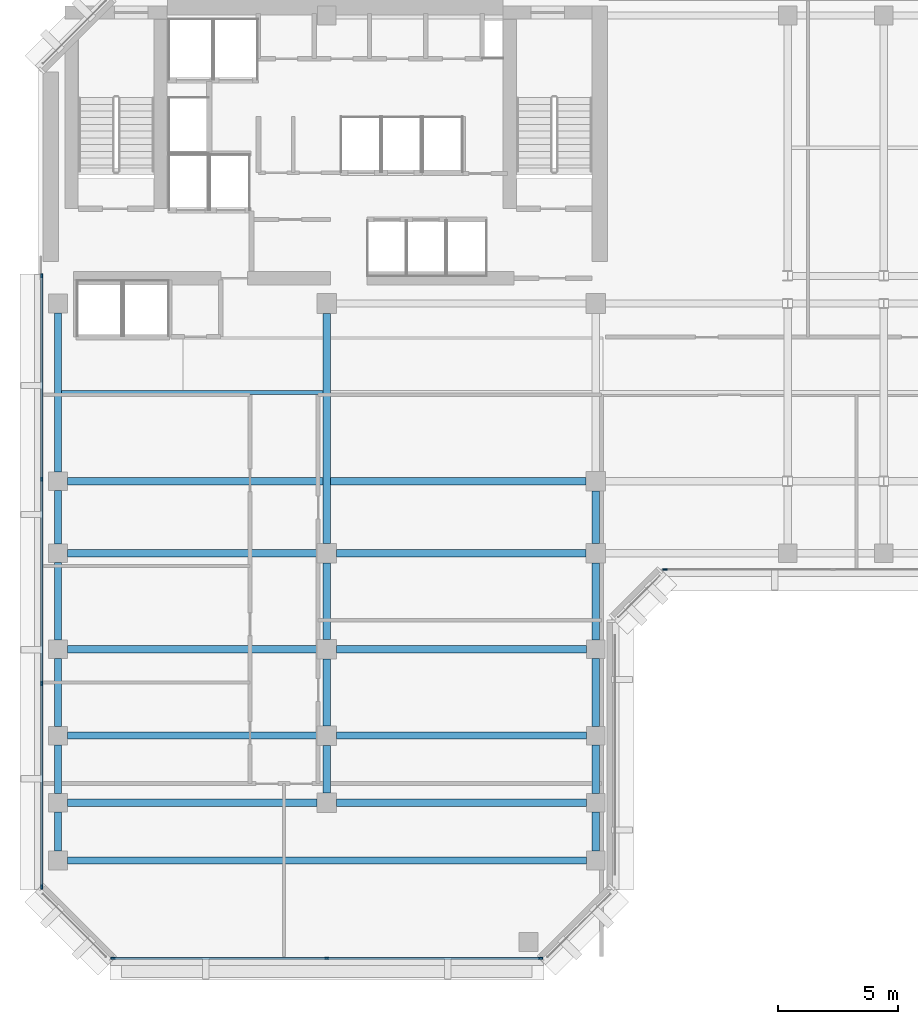
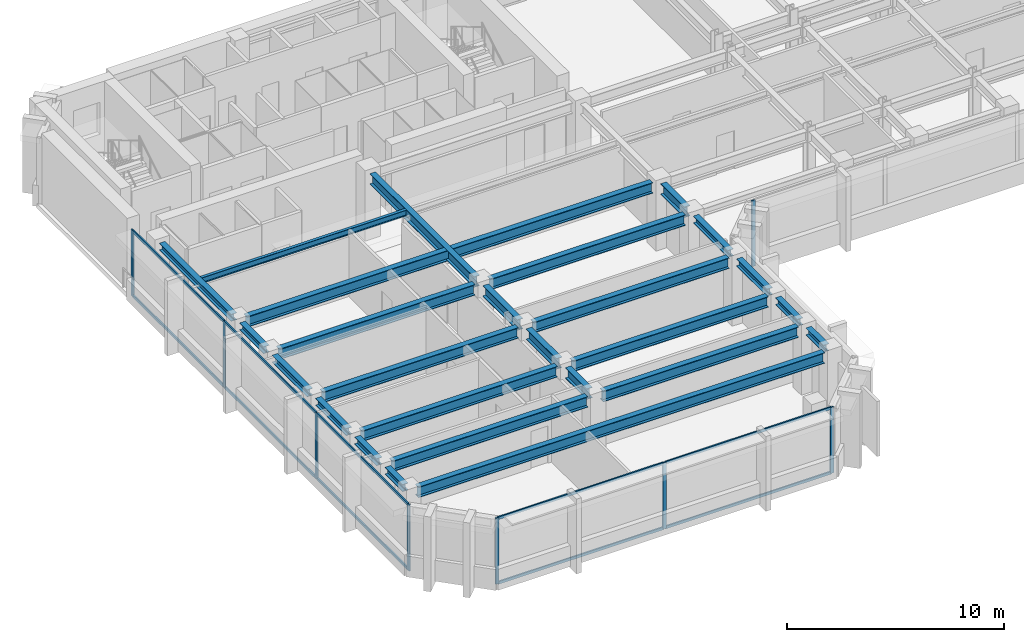
# One storey, part 2 of 12: 26 beams, 18 members, 3 elements without a shape of their own.
"""IFC4 building model written with IfcOpenShell, lengths in metres."""

from ifc_helpers import new_model, si_unit, direction, frame, origin, origin_2d, place, context, subcontext, project, spatial, rectangle, i_section, extrude, material, layer, layer_set, material_profile, profile_set, type_object, element, aggregate, save


model = new_model("IFC4")

# Units and contexts
model_context = context("Model", 3, precision=1e-05, world=origin(), true_north=direction((0.0, 1.0)))
body_context = subcontext(model_context, "Body", "Model", "MODEL_VIEW")
ifc_project = project(units=[si_unit("LENGTHUNIT", "METRE"), si_unit("AREAUNIT", "SQUARE_METRE"), si_unit("VOLUMEUNIT", "CUBIC_METRE"), si_unit("PLANEANGLEUNIT", "RADIAN"), si_unit("MASSUNIT", "GRAM", prefix="KILO")], contexts=[model_context])

# Site, building, storey
site_placement = place(None, origin())
site = spatial("IfcSite", under=ifc_project, at=site_placement, CompositionType="ELEMENT")
building_placement = place(site_placement, origin())
building = spatial("IfcBuilding", under=site, at=building_placement, Name="Kefirva Bronze Tower", CompositionType="ELEMENT")
storey_placement = place(building_placement, frame((0.0, 0.0, 203.280029296875)))
storey = spatial("IfcBuildingStorey", under=building, at=storey_placement, Name="L49", CompositionType="ELEMENT", Elevation=203.280029296875)

# Curtain wall, members
ifc_material_1 = material(Name="Bronze anodised aluminium", Category="aluminium")
ifc_layer = layer(ifc_material_1, 0.179931640625, Name="Bronze anodised aluminium")
ifc_layer_set = layer_set([ifc_layer], Name="Bronze anodised aluminium")
curtain_wall_type = type_object("IfcCurtainWallType", Name="Unitised Bronze Ribbon Curtain Wall Zone 3", PredefinedType="USERDEFINED", material=ifc_layer_set)
curtain_wall_1_placement = place(storey_placement, origin())
curtain_wall_1 = element("IfcCurtainWall", 1, at=curtain_wall_1_placement, inside=storey, type_object=curtain_wall_type, Name="L49 Curtain Wall 1", ObjectType="UNITISED CURTAIN WALL", PredefinedType="USERDEFINED")
ifc_material_profile_1 = material_profile(ifc_material_1, rectangle(XDim=0.074951171875, YDim=0.179931640625, at=origin_2d()), Name="ALU 75x180")
ifc_profile_set_1 = profile_set([ifc_material_profile_1], Name="Bronze anodised aluminium")
member_type_1 = type_object("IfcMemberType", Name="Bronze Mullion 75x180", PredefinedType="MULLION", material=ifc_profile_set_1)
member_1_placement = place(storey_placement, frame((3.092529296875, 5.919921875, 0.0), z_axis=(0.0, 0.0, 1.0), x_axis=(0.0, 1.0, 0.0)))
member_1 = element("IfcMember", 2, at=member_1_placement, type_object=member_type_1, Name="CW-03 mullion 1", PredefinedType="MULLION", context=body_context, shape_type="SweptSolid", body=[
    extrude(rectangle(XDim=0.074951171875, YDim=0.179931640625, at=origin_2d()), origin(), (0.0, 0.0, 1.0), 3.7099609375),
])
member_2_placement = place(storey_placement, frame((12.0, 5.919921875, 0.0), z_axis=(0.0, 0.0, 1.0), x_axis=(0.0, 1.0, 0.0)))
member_2 = element("IfcMember", 3, at=member_2_placement, type_object=member_type_1, Name="CW-03 mullion 2", PredefinedType="MULLION", context=body_context, shape_type="SweptSolid", body=[
    extrude(rectangle(XDim=0.074951171875, YDim=0.179931640625, at=origin_2d()), origin(), (0.0, 0.0, 1.0), 3.7099609375),
])
member_3_placement = place(storey_placement, frame((20.907470703125, 5.919921875, 0.0), z_axis=(0.0, 0.0, 1.0), x_axis=(0.0, 1.0, 0.0)))
member_3 = element("IfcMember", 4, at=member_3_placement, type_object=member_type_1, Name="CW-03 mullion 3", PredefinedType="MULLION", context=body_context, shape_type="SweptSolid", body=[
    extrude(rectangle(XDim=0.074951171875, YDim=0.179931640625, at=origin_2d()), origin(), (0.0, 0.0, 1.0), 3.7099609375),
])

# Curtain wall, member
curtain_wall_2_placement = place(storey_placement, origin())
curtain_wall_2 = element("IfcCurtainWall", 5, at=curtain_wall_2_placement, inside=storey, type_object=curtain_wall_type, Name="L49 Curtain Wall 2", ObjectType="UNITISED CURTAIN WALL", PredefinedType="USERDEFINED")
member_4_placement = place(storey_placement, frame((26.092529296875, 22.1201171875, 0.0), z_axis=(0.0, 0.0, 1.0), x_axis=(0.0, 1.0, 0.0)))
member_4 = element("IfcMember", 6, at=member_4_placement, type_object=member_type_1, Name="CW-03 mullion 1", PredefinedType="MULLION", context=body_context, shape_type="SweptSolid", body=[
    extrude(rectangle(XDim=0.074951171875, YDim=0.179931640625, at=origin_2d()), origin(), (0.0, 0.0, 1.0), 3.7099609375),
])
aggregate(curtain_wall_2, [member_4])

# Curtain wall, members
curtain_wall_3_placement = place(storey_placement, origin())
curtain_wall_3 = element("IfcCurtainWall", 7, at=curtain_wall_3_placement, inside=storey, type_object=curtain_wall_type, Name="L49 Curtain Wall 5", ObjectType="UNITISED CURTAIN WALL", PredefinedType="USERDEFINED")
member_5_placement = place(storey_placement, frame((0.1201171875, 34.357421875, 0.0), z_axis=(0.0, 0.0, 1.0), x_axis=(1.0, 0.0, 0.0)))
member_5 = element("IfcMember", 8, at=member_5_placement, type_object=member_type_1, Name="CW-03 mullion 1", PredefinedType="MULLION", context=body_context, shape_type="SweptSolid", body=[
    extrude(rectangle(XDim=0.074951171875, YDim=0.179931640625, at=origin_2d()), origin(), (0.0, 0.0, 1.0), 3.7099609375),
])
member_6_placement = place(storey_placement, frame((0.1201171875, 25.881591796875, 0.0), z_axis=(0.0, 0.0, 1.0), x_axis=(1.0, 0.0, 0.0)))
member_6 = element("IfcMember", 9, at=member_6_placement, type_object=member_type_1, Name="CW-03 mullion 2", PredefinedType="MULLION", context=body_context, shape_type="SweptSolid", body=[
    extrude(rectangle(XDim=0.074951171875, YDim=0.179931640625, at=origin_2d()), origin(), (0.0, 0.0, 1.0), 3.7099609375),
])
member_7_placement = place(storey_placement, frame((0.1201171875, 17.368408203125, 0.0), z_axis=(0.0, 0.0, 1.0), x_axis=(1.0, 0.0, 0.0)))
member_7 = element("IfcMember", 10, at=member_7_placement, type_object=member_type_1, Name="CW-03 mullion 3", PredefinedType="MULLION", context=body_context, shape_type="SweptSolid", body=[
    extrude(rectangle(XDim=0.074951171875, YDim=0.179931640625, at=origin_2d()), origin(), (0.0, 0.0, 1.0), 3.7099609375),
])
member_8_placement = place(storey_placement, frame((0.1201171875, 8.892578125, 0.0), z_axis=(0.0, 0.0, 1.0), x_axis=(1.0, 0.0, 0.0)))
member_8 = element("IfcMember", 11, at=member_8_placement, type_object=member_type_1, Name="CW-03 mullion 4", PredefinedType="MULLION", context=body_context, shape_type="SweptSolid", body=[
    extrude(rectangle(XDim=0.074951171875, YDim=0.179931640625, at=origin_2d()), origin(), (0.0, 0.0, 1.0), 3.7099609375),
])

# Member
ifc_material_profile_2 = material_profile(ifc_material_1, rectangle(XDim=0.074951171875, YDim=0.14990234375, at=origin_2d()), Name="ALU 75x150")
ifc_profile_set_2 = profile_set([ifc_material_profile_2], Name="Bronze anodised aluminium")
member_type_2 = type_object("IfcMemberType", Name="Bronze Transom 75x150", PredefinedType="USERDEFINED", material=ifc_profile_set_2)
member_9_placement = place(storey_placement, frame((3.1298828125, 5.919921875, 0.037353515625), z_axis=(1.0, 0.0, 0.0), x_axis=(0.0, 1.0, 0.0)))
member_9 = element("IfcMember", 12, at=member_9_placement, type_object=member_type_2, Name="CW-03 transom 1.1", ObjectType="TRANSOM", PredefinedType="USERDEFINED", context=body_context, shape_type="SweptSolid", body=[
    extrude(rectangle(XDim=0.074951171875, YDim=0.14990234375, at=origin_2d()), origin(), (0.0, 0.0, 1.0), 8.83251953125),
])

member_10_placement = place(storey_placement, frame((3.1298828125, 5.919921875, 3.67236328125), z_axis=(1.0, 0.0, 0.0), x_axis=(0.0, 1.0, 0.0)))
member_10 = element("IfcMember", 13, at=member_10_placement, type_object=member_type_2, Name="CW-03 transom 1.2", ObjectType="TRANSOM", PredefinedType="USERDEFINED", context=body_context, shape_type="SweptSolid", body=[
    extrude(rectangle(XDim=0.074951171875, YDim=0.14990234375, at=origin_2d()), origin(), (0.0, 0.0, 1.0), 8.83251953125),
])

member_11_placement = place(storey_placement, frame((12.03759765625, 5.919921875, 0.037353515625), z_axis=(1.0, 0.0, 0.0), x_axis=(0.0, 1.0, 0.0)))
member_11 = element("IfcMember", 14, at=member_11_placement, type_object=member_type_2, Name="CW-03 transom 2.1", ObjectType="TRANSOM", PredefinedType="USERDEFINED", context=body_context, shape_type="SweptSolid", body=[
    extrude(rectangle(XDim=0.074951171875, YDim=0.14990234375, at=origin_2d()), origin(), (0.0, 0.0, 1.0), 8.83251953125),
])

member_12_placement = place(storey_placement, frame((12.03759765625, 5.919921875, 3.67236328125), z_axis=(1.0, 0.0, 0.0), x_axis=(0.0, 1.0, 0.0)))
member_12 = element("IfcMember", 15, at=member_12_placement, type_object=member_type_2, Name="CW-03 transom 2.2", ObjectType="TRANSOM", PredefinedType="USERDEFINED", context=body_context, shape_type="SweptSolid", body=[
    extrude(rectangle(XDim=0.074951171875, YDim=0.14990234375, at=origin_2d()), origin(), (0.0, 0.0, 1.0), 8.83251953125),
])

aggregate(curtain_wall_1, [member_1, member_2, member_3, member_9, member_10, member_11, member_12])

member_13_placement = place(storey_placement, frame((0.1201171875, 34.320068359375, 0.037353515625), z_axis=(0.0, -1.0, 0.0), x_axis=(1.0, 0.0, 0.0)))
member_13 = element("IfcMember", 16, at=member_13_placement, type_object=member_type_2, Name="CW-03 transom 1.1", ObjectType="TRANSOM", PredefinedType="USERDEFINED", context=body_context, shape_type="SweptSolid", body=[
    extrude(rectangle(XDim=0.074951171875, YDim=0.14990234375, at=origin_2d()), origin(), (0.0, 0.0, 1.0), 8.40087890625),
])

member_14_placement = place(storey_placement, frame((0.1201171875, 34.320068359375, 3.67236328125), z_axis=(0.0, -1.0, 0.0), x_axis=(1.0, 0.0, 0.0)))
member_14 = element("IfcMember", 17, at=member_14_placement, type_object=member_type_2, Name="CW-03 transom 1.2", ObjectType="TRANSOM", PredefinedType="USERDEFINED", context=body_context, shape_type="SweptSolid", body=[
    extrude(rectangle(XDim=0.074951171875, YDim=0.14990234375, at=origin_2d()), origin(), (0.0, 0.0, 1.0), 8.40087890625),
])

member_15_placement = place(storey_placement, frame((0.1201171875, 25.84423828125, 0.037353515625), z_axis=(0.0, -1.0, 0.0), x_axis=(1.0, 0.0, 0.0)))
member_15 = element("IfcMember", 18, at=member_15_placement, type_object=member_type_2, Name="CW-03 transom 2.1", ObjectType="TRANSOM", PredefinedType="USERDEFINED", context=body_context, shape_type="SweptSolid", body=[
    extrude(rectangle(XDim=0.074951171875, YDim=0.14990234375, at=origin_2d()), origin(), (0.0, 0.0, 1.0), 8.4384765625),
])

member_16_placement = place(storey_placement, frame((0.1201171875, 25.84423828125, 3.67236328125), z_axis=(0.0, -1.0, 0.0), x_axis=(1.0, 0.0, 0.0)))
member_16 = element("IfcMember", 19, at=member_16_placement, type_object=member_type_2, Name="CW-03 transom 2.2", ObjectType="TRANSOM", PredefinedType="USERDEFINED", context=body_context, shape_type="SweptSolid", body=[
    extrude(rectangle(XDim=0.074951171875, YDim=0.14990234375, at=origin_2d()), origin(), (0.0, 0.0, 1.0), 8.4384765625),
])

member_17_placement = place(storey_placement, frame((0.1201171875, 17.330810546875, 0.037353515625), z_axis=(0.0, -1.0, 0.0), x_axis=(1.0, 0.0, 0.0)))
member_17 = element("IfcMember", 20, at=member_17_placement, type_object=member_type_2, Name="CW-03 transom 3.1", ObjectType="TRANSOM", PredefinedType="USERDEFINED", context=body_context, shape_type="SweptSolid", body=[
    extrude(rectangle(XDim=0.074951171875, YDim=0.14990234375, at=origin_2d()), origin(), (0.0, 0.0, 1.0), 8.40087890625),
])

member_18_placement = place(storey_placement, frame((0.1201171875, 17.330810546875, 3.67236328125), z_axis=(0.0, -1.0, 0.0), x_axis=(1.0, 0.0, 0.0)))
member_18 = element("IfcMember", 21, at=member_18_placement, type_object=member_type_2, Name="CW-03 transom 3.2", ObjectType="TRANSOM", PredefinedType="USERDEFINED", context=body_context, shape_type="SweptSolid", body=[
    extrude(rectangle(XDim=0.074951171875, YDim=0.14990234375, at=origin_2d()), origin(), (0.0, 0.0, 1.0), 8.40087890625),
])

aggregate(curtain_wall_3, [member_5, member_6, member_7, member_8, member_13, member_14, member_15, member_16, member_17, member_18])

# Beams
ifc_material_2 = material(Name="Steel S355", Category="steel")
ifc_material_profile_3 = material_profile(ifc_material_2, i_section(OverallWidth=0.159912109375, OverallDepth=0.330078125, WebThickness=0.007568359375, FlangeThickness=0.011474609375, at=origin_2d()), Name="IPE 330")
ifc_profile_set_3 = profile_set([ifc_material_profile_3], Name="Steel S355")
beam_type_1 = type_object("IfcBeamType", Name="Steel Floor Joist IPE 330", PredefinedType="JOIST", material=ifc_profile_set_3)
beam_1_placement = place(storey_placement, frame((0.949951171875, 29.489990234375, 3.544921875), z_axis=(1.0, 0.0, 0.0), x_axis=(0.0, 1.0, 0.0)))
element("IfcBeam", 22, at=beam_1_placement, inside=storey, type_object=beam_type_1, Name="L49 JST-L49-0-294", PredefinedType="JOIST", context=body_context, shape_type="SweptSolid", body=[
    extrude(i_section(OverallWidth=0.159912109375, OverallDepth=0.330078125, WebThickness=0.007568359375, FlangeThickness=0.011474609375, at=origin_2d()), origin(), (0.0, 0.0, 1.0), 10.900146484375),
])
ifc_material_profile_4 = material_profile(ifc_material_2, i_section(OverallWidth=0.300048828125, OverallDepth=0.60009765625, WebThickness=0.015380859375, FlangeThickness=0.030029296875, at=origin_2d()), Name="HEB 600")
ifc_profile_set_4 = profile_set([ifc_material_profile_4], Name="Steel S355")
beam_type_2 = type_object("IfcBeamType", Name="Steel Girder HEB 600", PredefinedType="USERDEFINED", material=ifc_profile_set_4)
beam_2_placement = place(storey_placement, frame((1.18994140625, 10.0, 3.409912109375), z_axis=(1.0, 0.0, 0.0), x_axis=(0.0, 1.0, 0.0)))
element("IfcBeam", 23, at=beam_2_placement, inside=storey, type_object=beam_type_2, Name="L49 BM-L49-EW-0-100", ObjectType="GIRDER", PredefinedType="USERDEFINED", context=body_context, shape_type="SweptSolid", body=[
    extrude(i_section(OverallWidth=0.300048828125, OverallDepth=0.60009765625, WebThickness=0.015380859375, FlangeThickness=0.030029296875, at=origin_2d()), origin(), (0.0, 0.0, 1.0), 21.6201171875),
])
for number, where, z_axis, x_axis, name in (
    (24, (1.18994140625, 12.39990234375, 3.409912109375), (1.0, 0.0, 0.0), (0.0, 1.0, 0.0), "L49 BM-L49-EW-0-124"),
    (25, (12.409912109375, 12.39990234375, 3.409912109375), (1.0, 0.0, 0.0), (0.0, 1.0, 0.0), "L49 BM-L49-EW-12-124"),
    (26, (1.18994140625, 15.199951171875, 3.409912109375), (1.0, 0.0, 0.0), (0.0, 1.0, 0.0), "L49 BM-L49-EW-0-152"),
    (27, (12.409912109375, 15.199951171875, 3.409912109375), (1.0, 0.0, 0.0), (0.0, 1.0, 0.0), "L49 BM-L49-EW-12-152"),
    (28, (1.18994140625, 18.800048828125, 3.409912109375), (1.0, 0.0, 0.0), (0.0, 1.0, 0.0), "L49 BM-L49-EW-0-188"),
    (29, (12.409912109375, 18.800048828125, 3.409912109375), (1.0, 0.0, 0.0), (0.0, 1.0, 0.0), "L49 BM-L49-EW-12-188"),
    (30, (1.18994140625, 22.800048828125, 3.409912109375), (1.0, 0.0, 0.0), (0.0, 1.0, 0.0), "L49 BM-L49-EW-0-228"),
):
    element("IfcBeam", number, at=place(storey_placement, frame(where, z_axis=z_axis, x_axis=x_axis)), inside=storey, type_object=beam_type_2, Name=name, ObjectType="GIRDER", PredefinedType="USERDEFINED", context=body_context, shape_type="SweptSolid", body=[
        extrude(i_section(OverallWidth=0.300048828125, OverallDepth=0.60009765625, WebThickness=0.015380859375, FlangeThickness=0.030029296875, at=origin_2d()), origin(), (0.0, 0.0, 1.0), 10.400146484375),
    ])
beam_3_placement = place(storey_placement, frame((12.409912109375, 22.800048828125, 3.409912109375), z_axis=(1.0, 0.0, 0.0), x_axis=(0.0, 1.0, 0.0)))
element("IfcBeam", 31, at=beam_3_placement, inside=storey, type_object=beam_type_2, Name="L49 BM-L49-EW-12-228", ObjectType="GIRDER", PredefinedType="USERDEFINED", context=body_context, shape_type="SweptSolid", body=[
    extrude(i_section(OverallWidth=0.300048828125, OverallDepth=0.60009765625, WebThickness=0.015380859375, FlangeThickness=0.030029296875, at=origin_2d()), origin(), (0.0, 0.0, 1.0), 10.380126953125),
])
beam_4_placement = place(storey_placement, frame((1.18994140625, 25.800048828125, 3.409912109375), z_axis=(1.0, 0.0, 0.0), x_axis=(0.0, 1.0, 0.0)))
element("IfcBeam", 32, at=beam_4_placement, inside=storey, type_object=beam_type_2, Name="L49 BM-L49-EW-0-258", ObjectType="GIRDER", PredefinedType="USERDEFINED", context=body_context, shape_type="SweptSolid", body=[
    extrude(i_section(OverallWidth=0.300048828125, OverallDepth=0.60009765625, WebThickness=0.015380859375, FlangeThickness=0.030029296875, at=origin_2d()), origin(), (0.0, 0.0, 1.0), 21.60009765625),
])
beam_5_placement = place(storey_placement, frame((12.0, 12.81005859375, 3.409912109375), z_axis=(0.0, 1.0, 0.0), x_axis=(-1.0, 0.0, 0.0)))
element("IfcBeam", 33, at=beam_5_placement, inside=storey, type_object=beam_type_2, Name="L49 BM-L49-NS-120-12", ObjectType="GIRDER", PredefinedType="USERDEFINED", context=body_context, shape_type="SweptSolid", body=[
    extrude(i_section(OverallWidth=0.300048828125, OverallDepth=0.60009765625, WebThickness=0.015380859375, FlangeThickness=0.030029296875, at=origin_2d()), origin(), (0.0, 0.0, 1.0), 1.97998046875),
])
beam_6_placement = place(storey_placement, frame((12.0, 15.610107421875, 3.409912109375), z_axis=(0.0, 1.0, 0.0), x_axis=(-1.0, 0.0, 0.0)))
element("IfcBeam", 34, at=beam_6_placement, inside=storey, type_object=beam_type_2, Name="L49 BM-L49-NS-120-15", ObjectType="GIRDER", PredefinedType="USERDEFINED", context=body_context, shape_type="SweptSolid", body=[
    extrude(i_section(OverallWidth=0.300048828125, OverallDepth=0.60009765625, WebThickness=0.015380859375, FlangeThickness=0.030029296875, at=origin_2d()), origin(), (0.0, 0.0, 1.0), 2.77978515625),
])
beam_7_placement = place(storey_placement, frame((12.0, 19.2099609375, 3.409912109375), z_axis=(0.0, 1.0, 0.0), x_axis=(-1.0, 0.0, 0.0)))
element("IfcBeam", 35, at=beam_7_placement, inside=storey, type_object=beam_type_2, Name="L49 BM-L49-NS-120-18", ObjectType="GIRDER", PredefinedType="USERDEFINED", context=body_context, shape_type="SweptSolid", body=[
    extrude(i_section(OverallWidth=0.300048828125, OverallDepth=0.60009765625, WebThickness=0.015380859375, FlangeThickness=0.030029296875, at=origin_2d()), origin(), (0.0, 0.0, 1.0), 3.179931640625),
])
beam_8_placement = place(storey_placement, frame((12.0, 23.2099609375, 3.409912109375), z_axis=(0.0, 1.0, 0.0), x_axis=(-1.0, 0.0, 0.0)))
element("IfcBeam", 36, at=beam_8_placement, inside=storey, type_object=beam_type_2, Name="L49 BM-L49-NS-120-22", ObjectType="GIRDER", PredefinedType="USERDEFINED", context=body_context, shape_type="SweptSolid", body=[
    extrude(i_section(OverallWidth=0.300048828125, OverallDepth=0.60009765625, WebThickness=0.015380859375, FlangeThickness=0.030029296875, at=origin_2d()), origin(), (0.0, 0.0, 1.0), 9.580078125),
])
beam_9_placement = place(storey_placement, frame((23.199951171875, 23.2099609375, 3.409912109375), z_axis=(0.0, 1.0, 0.0), x_axis=(-1.0, 0.0, 0.0)))
element("IfcBeam", 37, at=beam_9_placement, inside=storey, type_object=beam_type_2, Name="L49 BM-L49-NS-232-22", ObjectType="GIRDER", PredefinedType="USERDEFINED", context=body_context, shape_type="SweptSolid", body=[
    extrude(i_section(OverallWidth=0.300048828125, OverallDepth=0.60009765625, WebThickness=0.015380859375, FlangeThickness=0.030029296875, at=origin_2d()), origin(), (0.0, 0.0, 1.0), 2.179931640625),
])
ifc_material_profile_5 = material_profile(ifc_material_2, i_section(OverallWidth=0.300048828125, OverallDepth=0.39990234375, WebThickness=0.013427734375, FlangeThickness=0.02392578125, at=origin_2d()), Name="HEB 400")
ifc_profile_set_5 = profile_set([ifc_material_profile_5], Name="Steel S355")
beam_type_3 = type_object("IfcBeamType", Name="Steel Spandrel HEB 400 Ext", PredefinedType="SPANDREL", material=ifc_profile_set_5)
beam_10_placement = place(storey_placement, frame((0.800048828125, 10.389892578125, 3.510009765625), z_axis=(0.0, 1.0, 0.0), x_axis=(-1.0, 0.0, 0.0)))
element("IfcBeam", 38, at=beam_10_placement, inside=storey, type_object=beam_type_3, Name="L49 BM-L49-NS-8-10", PredefinedType="SPANDREL", context=body_context, shape_type="SweptSolid", body=[
    extrude(i_section(OverallWidth=0.300048828125, OverallDepth=0.39990234375, WebThickness=0.013427734375, FlangeThickness=0.02392578125, at=origin_2d()), origin(), (0.0, 0.0, 1.0), 1.6201171875),
])
beam_11_placement = place(storey_placement, frame((0.800048828125, 12.7900390625, 3.510009765625), z_axis=(0.0, 1.0, 0.0), x_axis=(-1.0, 0.0, 0.0)))
element("IfcBeam", 39, at=beam_11_placement, inside=storey, type_object=beam_type_3, Name="L49 BM-L49-NS-8-12", PredefinedType="SPANDREL", context=body_context, shape_type="SweptSolid", body=[
    extrude(i_section(OverallWidth=0.300048828125, OverallDepth=0.39990234375, WebThickness=0.013427734375, FlangeThickness=0.02392578125, at=origin_2d()), origin(), (0.0, 0.0, 1.0), 2.02001953125),
])
beam_12_placement = place(storey_placement, frame((0.800048828125, 15.590087890625, 3.510009765625), z_axis=(0.0, 1.0, 0.0), x_axis=(-1.0, 0.0, 0.0)))
element("IfcBeam", 40, at=beam_12_placement, inside=storey, type_object=beam_type_3, Name="L49 BM-L49-NS-8-15", PredefinedType="SPANDREL", context=body_context, shape_type="SweptSolid", body=[
    extrude(i_section(OverallWidth=0.300048828125, OverallDepth=0.39990234375, WebThickness=0.013427734375, FlangeThickness=0.02392578125, at=origin_2d()), origin(), (0.0, 0.0, 1.0), 2.81982421875),
])
beam_13_placement = place(storey_placement, frame((0.800048828125, 19.18994140625, 3.510009765625), z_axis=(0.0, 1.0, 0.0), x_axis=(-1.0, 0.0, 0.0)))
element("IfcBeam", 41, at=beam_13_placement, inside=storey, type_object=beam_type_3, Name="L49 BM-L49-NS-8-18", PredefinedType="SPANDREL", context=body_context, shape_type="SweptSolid", body=[
    extrude(i_section(OverallWidth=0.300048828125, OverallDepth=0.39990234375, WebThickness=0.013427734375, FlangeThickness=0.02392578125, at=origin_2d()), origin(), (0.0, 0.0, 1.0), 3.219970703125),
])
beam_14_placement = place(storey_placement, frame((0.800048828125, 23.18994140625, 3.510009765625), z_axis=(0.0, 1.0, 0.0), x_axis=(-1.0, 0.0, 0.0)))
element("IfcBeam", 42, at=beam_14_placement, inside=storey, type_object=beam_type_3, Name="L49 BM-L49-NS-8-22", PredefinedType="SPANDREL", context=body_context, shape_type="SweptSolid", body=[
    extrude(i_section(OverallWidth=0.300048828125, OverallDepth=0.39990234375, WebThickness=0.013427734375, FlangeThickness=0.02392578125, at=origin_2d()), origin(), (0.0, 0.0, 1.0), 2.219970703125),
])
beam_15_placement = place(storey_placement, frame((0.800048828125, 26.18994140625, 3.510009765625), z_axis=(0.0, 1.0, 0.0), x_axis=(-1.0, 0.0, 0.0)))
element("IfcBeam", 43, at=beam_15_placement, inside=storey, type_object=beam_type_3, Name="L49 BM-L49-NS-8-25", PredefinedType="SPANDREL", context=body_context, shape_type="SweptSolid", body=[
    extrude(i_section(OverallWidth=0.300048828125, OverallDepth=0.39990234375, WebThickness=0.013427734375, FlangeThickness=0.02392578125, at=origin_2d()), origin(), (0.0, 0.0, 1.0), 6.6201171875),
])
beam_16_placement = place(storey_placement, frame((23.199951171875, 10.389892578125, 3.510009765625), z_axis=(0.0, 1.0, 0.0), x_axis=(-1.0, 0.0, 0.0)))
element("IfcBeam", 44, at=beam_16_placement, inside=storey, type_object=beam_type_3, Name="L49 BM-L49-NS-232-10", PredefinedType="SPANDREL", context=body_context, shape_type="SweptSolid", body=[
    extrude(i_section(OverallWidth=0.300048828125, OverallDepth=0.39990234375, WebThickness=0.013427734375, FlangeThickness=0.02392578125, at=origin_2d()), origin(), (0.0, 0.0, 1.0), 1.6201171875),
])
beam_17_placement = place(storey_placement, frame((23.199951171875, 12.7900390625, 3.510009765625), z_axis=(0.0, 1.0, 0.0), x_axis=(-1.0, 0.0, 0.0)))
element("IfcBeam", 45, at=beam_17_placement, inside=storey, type_object=beam_type_3, Name="L49 BM-L49-NS-232-12", PredefinedType="SPANDREL", context=body_context, shape_type="SweptSolid", body=[
    extrude(i_section(OverallWidth=0.300048828125, OverallDepth=0.39990234375, WebThickness=0.013427734375, FlangeThickness=0.02392578125, at=origin_2d()), origin(), (0.0, 0.0, 1.0), 2.02001953125),
])
beam_18_placement = place(storey_placement, frame((23.199951171875, 15.590087890625, 3.510009765625), z_axis=(0.0, 1.0, 0.0), x_axis=(-1.0, 0.0, 0.0)))
element("IfcBeam", 46, at=beam_18_placement, inside=storey, type_object=beam_type_3, Name="L49 BM-L49-NS-232-15", PredefinedType="SPANDREL", context=body_context, shape_type="SweptSolid", body=[
    extrude(i_section(OverallWidth=0.300048828125, OverallDepth=0.39990234375, WebThickness=0.013427734375, FlangeThickness=0.02392578125, at=origin_2d()), origin(), (0.0, 0.0, 1.0), 2.81982421875),
])
beam_19_placement = place(storey_placement, frame((23.199951171875, 19.18994140625, 3.510009765625), z_axis=(0.0, 1.0, 0.0), x_axis=(-1.0, 0.0, 0.0)))
element("IfcBeam", 47, at=beam_19_placement, inside=storey, type_object=beam_type_3, Name="L49 BM-L49-NS-232-18", PredefinedType="SPANDREL", context=body_context, shape_type="SweptSolid", body=[
    extrude(i_section(OverallWidth=0.300048828125, OverallDepth=0.39990234375, WebThickness=0.013427734375, FlangeThickness=0.02392578125, at=origin_2d()), origin(), (0.0, 0.0, 1.0), 3.199951171875),
])

save(model, "model.ifc")
